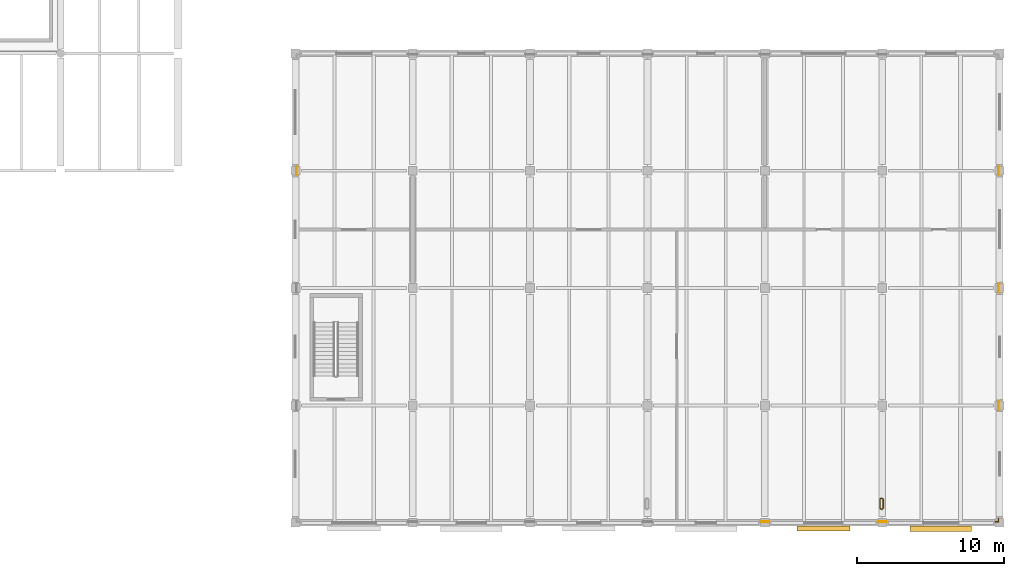
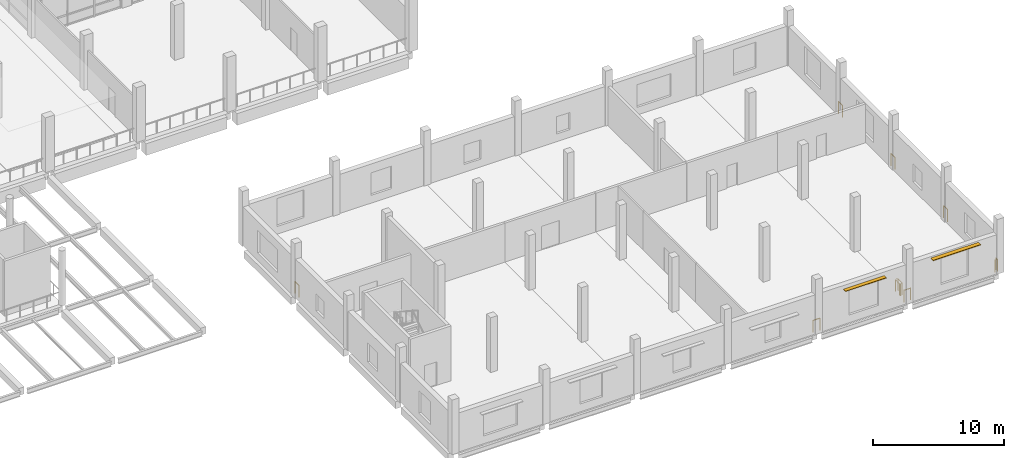
# One storey, part 58 of 61: 8 railings, 2 shading devices.
"""IFC4 building model written with IfcOpenShell, lengths in metres."""

from ifc_helpers import new_model, si_unit, direction, frame, origin, origin_2d, place, context, subcontext, project, spatial, rectangle, circle, extrude, material, type_object, element, save


model = new_model("IFC4")

# Units and contexts
model_context = context("Model", 3, precision=1e-05, world=origin(), true_north=direction((0.0, 1.0)))
body_context = subcontext(model_context, "Body", "Model", "MODEL_VIEW")
ifc_project = project(units=[si_unit("LENGTHUNIT", "METRE"), si_unit("AREAUNIT", "SQUARE_METRE"), si_unit("VOLUMEUNIT", "CUBIC_METRE"), si_unit("PLANEANGLEUNIT", "RADIAN"), si_unit("MASSUNIT", "GRAM", prefix="KILO")], contexts=[model_context])

# Site, building, storey
site_placement = place(None, origin())
site = spatial("IfcSite", under=ifc_project, at=site_placement, CompositionType="ELEMENT")
building_placement = place(site_placement, origin())
building = spatial("IfcBuilding", under=site, at=building_placement, Name="Pecanmere Concourse Central Library", CompositionType="ELEMENT")
storey_placement = place(building_placement, frame((0.0, 0.0, 5.39990234375)))
storey = spatial("IfcBuildingStorey", under=building, at=storey_placement, Name="L02", CompositionType="ELEMENT", Elevation=5.39990234375)

# Railings
ifc_material_1 = material(Name="Architectural anodized bronze")
railing_type = type_object("IfcRailingType", Name="RAIL_ATRIUM_BAL", PredefinedType="BALUSTRADE", material=ifc_material_1)
railing_1_placement = place(storey_placement, frame((128.070068359375, 23.705078125, 0.0)))
element("IfcRailing", 1, at=railing_1_placement, inside=storey, type_object=railing_type, Name="Deck Edge Protective Balustrade L02-021", PredefinedType="BALUSTRADE", context=body_context, shape_type="SweptSolid", body=[
    extrude(circle(Radius=0.02392578125, at=origin_2d()), frame((0.0, 0.0, 1.09619140625), z_axis=(0.0, 1.0, 0.0), x_axis=(-1.0, 0.0, 0.0)), (0.0, 0.0, 1.0), 0.58984375),
    extrude(circle(Radius=0.02099609375, at=origin_2d()), origin(), (0.0, 0.0, 1.0), 1.072021484375),
    extrude(circle(Radius=0.02099609375, at=origin_2d()), frame((0.0, 0.58984375, 0.0)), (0.0, 0.0, 1.0), 1.072021484375),
])
for number, where, name in (
    (2, (175.9296875, 24.294921875, 0.0), "Deck Edge Protective Balustrade L02-029"),
    (3, (175.929931640625, 16.294921875, 0.0), "Deck Edge Protective Balustrade L02-030"),
    (4, (175.929931640625, 8.294921875, 0.0), "Deck Edge Protective Balustrade L02-031"),
):
    element("IfcRailing", number, at=place(storey_placement, frame(where)), inside=storey, type_object=railing_type, Name=name, PredefinedType="BALUSTRADE", context=body_context, shape_type="SweptSolid", body=[
        extrude(circle(Radius=0.02392578125, at=origin_2d()), frame((0.0, 0.0, 1.09619140625), z_axis=(0.0, -1.0, 0.0), x_axis=(1.0, 0.0, 0.0)), (0.0, 0.0, 1.0), 0.58984375),
        extrude(circle(Radius=0.02099609375, at=origin_2d()), origin(), (0.0, 0.0, 1.0), 1.072021484375),
        extrude(circle(Radius=0.02099609375, at=origin_2d()), frame((0.0, -0.58984375, 0.0)), (0.0, 0.0, 1.0), 1.072021484375),
    ])
railing_2_placement = place(storey_placement, frame((175.929931640625, 0.294921875, 0.0)))
element("IfcRailing", 5, at=railing_2_placement, inside=storey, type_object=railing_type, Name="Deck Edge Protective Balustrade L02-032", PredefinedType="BALUSTRADE", context=body_context, shape_type="SweptSolid", body=[
    extrude(circle(Radius=0.02392578125, at=origin_2d()), frame((0.0, 0.0, 1.09619140625), z_axis=(0.0, -1.0, 0.0), x_axis=(1.0, 0.0, 0.0)), (0.0, 0.0, 1.0), 0.224609375),
    extrude(circle(Radius=0.02392578125, at=origin_2d()), frame((0.0, -0.224609375, 1.09619140625), z_axis=(-1.0, 0.0, 0.0), x_axis=(0.0, -1.0, 0.0)), (0.0, 0.0, 1.0), 0.224853515625),
    extrude(circle(Radius=0.02099609375, at=origin_2d()), origin(), (0.0, 0.0, 1.0), 1.072021484375),
    extrude(circle(Radius=0.02099609375, at=origin_2d()), frame((0.0, -0.224609375, 0.0)), (0.0, 0.0, 1.0), 1.072021484375),
    extrude(circle(Radius=0.02099609375, at=origin_2d()), frame((-0.224853515625, -0.224609375, 0.0)), (0.0, 0.0, 1.0), 1.072021484375),
])
for number, where, name in (
    (6, (168.294921875, 0.0703125, 0.0), "Deck Edge Protective Balustrade L02-033"),
    (7, (160.294921875, 0.0703125, 0.0), "Deck Edge Protective Balustrade L02-034"),
):
    element("IfcRailing", number, at=place(storey_placement, frame(where)), inside=storey, type_object=railing_type, Name=name, PredefinedType="BALUSTRADE", context=body_context, shape_type="SweptSolid", body=[
        extrude(circle(Radius=0.02392578125, at=origin_2d()), frame((0.0, 0.0, 1.09619140625), z_axis=(-1.0, 0.0, 0.0), x_axis=(0.0, -1.0, 0.0)), (0.0, 0.0, 1.0), 0.58984375),
        extrude(circle(Radius=0.02099609375, at=origin_2d()), origin(), (0.0, 0.0, 1.0), 1.072021484375),
        extrude(circle(Radius=0.02099609375, at=origin_2d()), frame((-0.58984375, 0.0, 0.0)), (0.0, 0.0, 1.0), 1.072021484375),
    ])
railing_3_placement = place(storey_placement, frame((168.069580078125, 1.596923828125, 0.0)))
element("IfcRailing", 8, at=railing_3_placement, inside=storey, type_object=railing_type, Name="Deck Edge Protective Balustrade L02-039", PredefinedType="BALUSTRADE", context=body_context, shape_type="SweptSolid", body=[
    extrude(circle(Radius=0.02392578125, at=origin_2d()), frame((0.0, 0.0, 1.09619140625), z_axis=(-0.591491231767, 0.806311430369, 0.0), x_axis=(-0.806311430369, -0.591491231767, 0.0)), (0.0, 0.0, 1.0), 0.0830078125),
    extrude(circle(Radius=0.02392578125, at=origin_2d()), frame((-0.049072265625, 0.06689453125, 1.09619140625), z_axis=(-0.998195860289, 0.060041856258, 0.0), x_axis=(-0.060041856258, -0.998195860289, 0.0)), (0.0, 0.0, 1.0), 0.09765625),
    extrude(circle(Radius=0.02392578125, at=origin_2d()), frame((-0.146484375, 0.07275390625, 1.09619140625), z_axis=(-0.806311430369, -0.591491231767, 0.0), x_axis=(0.591491231767, -0.806311430369, 0.0)), (0.0, 0.0, 1.0), 0.0830078125),
    extrude(circle(Radius=0.02392578125, at=origin_2d()), frame((-0.21337890625, 0.023681640625, 1.09619140625), z_axis=(-0.009489489668, -0.999954973779, 0.0), x_axis=(0.999954973779, -0.009489489668, 0.0)), (0.0, 0.0, 1.0), 0.617431640625),
    extrude(circle(Radius=0.02392578125, at=origin_2d()), frame((-0.21923828125, -0.59375, 1.09619140625), z_axis=(0.591491231767, -0.806311430369, 0.0), x_axis=(0.806311430369, 0.591491231767, 0.0)), (0.0, 0.0, 1.0), 0.0830078125),
    extrude(circle(Radius=0.02392578125, at=origin_2d()), frame((-0.170166015625, -0.66064453125, 1.09619140625), z_axis=(0.998195860289, -0.060041856258, 0.0), x_axis=(0.060041856258, 0.998195860289, 0.0)), (0.0, 0.0, 1.0), 0.09765625),
    extrude(circle(Radius=0.02392578125, at=origin_2d()), frame((-0.07275390625, -0.66650390625, 1.09619140625), z_axis=(0.806311430369, 0.591491231767, 0.0), x_axis=(-0.591491231767, 0.806311430369, 0.0)), (0.0, 0.0, 1.0), 0.0830078125),
    extrude(circle(Radius=0.02392578125, at=origin_2d()), frame((-0.005859375, -0.617431640625, 1.09619140625), z_axis=(0.009489489668, 0.999954973779, 0.0), x_axis=(-0.999954973779, 0.009489489668, 0.0)), (0.0, 0.0, 1.0), 0.617431640625),
    extrude(circle(Radius=0.02099609375, at=origin_2d()), origin(), (0.0, 0.0, 1.0), 1.072021484375),
    extrude(circle(Radius=0.02099609375, at=origin_2d()), frame((-0.049072265625, 0.06689453125, 0.0)), (0.0, 0.0, 1.0), 1.072021484375),
    extrude(circle(Radius=0.02099609375, at=origin_2d()), frame((-0.146484375, 0.07275390625, 0.0)), (0.0, 0.0, 1.0), 1.072021484375),
    extrude(circle(Radius=0.02099609375, at=origin_2d()), frame((-0.21337890625, 0.023681640625, 0.0)), (0.0, 0.0, 1.0), 1.072021484375),
    extrude(circle(Radius=0.02099609375, at=origin_2d()), frame((-0.21923828125, -0.59375, 0.0)), (0.0, 0.0, 1.0), 1.072021484375),
    extrude(circle(Radius=0.02099609375, at=origin_2d()), frame((-0.170166015625, -0.66064453125, 0.0)), (0.0, 0.0, 1.0), 1.072021484375),
    extrude(circle(Radius=0.02099609375, at=origin_2d()), frame((-0.07275390625, -0.66650390625, 0.0)), (0.0, 0.0, 1.0), 1.072021484375),
    extrude(circle(Radius=0.02099609375, at=origin_2d()), frame((-0.005859375, -0.617431640625, 0.0)), (0.0, 0.0, 1.0), 1.072021484375),
])

# Shading devices
ifc_material_2 = material(Name="Architectural anodized bronze")
shading_device_type_1 = type_object("IfcShadingDeviceType", Name="SHD_BRISE_1", PredefinedType="AWNING", material=ifc_material_2)
shading_device_1_placement = place(storey_placement, frame((172.0, -0.39990234375, 3.449951171875), z_axis=(0.0, 0.0, 1.0), x_axis=(1.0, 0.0, 0.0)))
element("IfcShadingDevice", 9, at=shading_device_1_placement, inside=storey, type_object=shading_device_type_1, Name="Bronze Solar Brise-Soleil L02-026", PredefinedType="AWNING", context=body_context, shape_type="SweptSolid", body=[
    extrude(rectangle(XDim=4.199951171875, YDim=0.360107421875, at=origin_2d()), origin(), (0.0, 0.0, 1.0), 0.06005859375),
])
ifc_material_3 = material(Name="Architectural anodized bronze")
shading_device_type_2 = type_object("IfcShadingDeviceType", Name="SHD_BRISE_2", PredefinedType="AWNING", material=ifc_material_3)
shading_device_2_placement = place(storey_placement, frame((164.0, -0.3798828125, 3.25244140625), z_axis=(0.0, 0.0, 1.0), x_axis=(1.0, 0.0, 0.0)))
element("IfcShadingDevice", 10, at=shading_device_2_placement, inside=storey, type_object=shading_device_type_2, Name="Bronze Solar Brise-Soleil L02-025", PredefinedType="AWNING", context=body_context, shape_type="SweptSolid", body=[
    extrude(rectangle(XDim=3.60009765625, YDim=0.320068359375, at=origin_2d()), origin(), (0.0, 0.0, 1.0), 0.054931640625),
])

save(model, "model.ifc")
